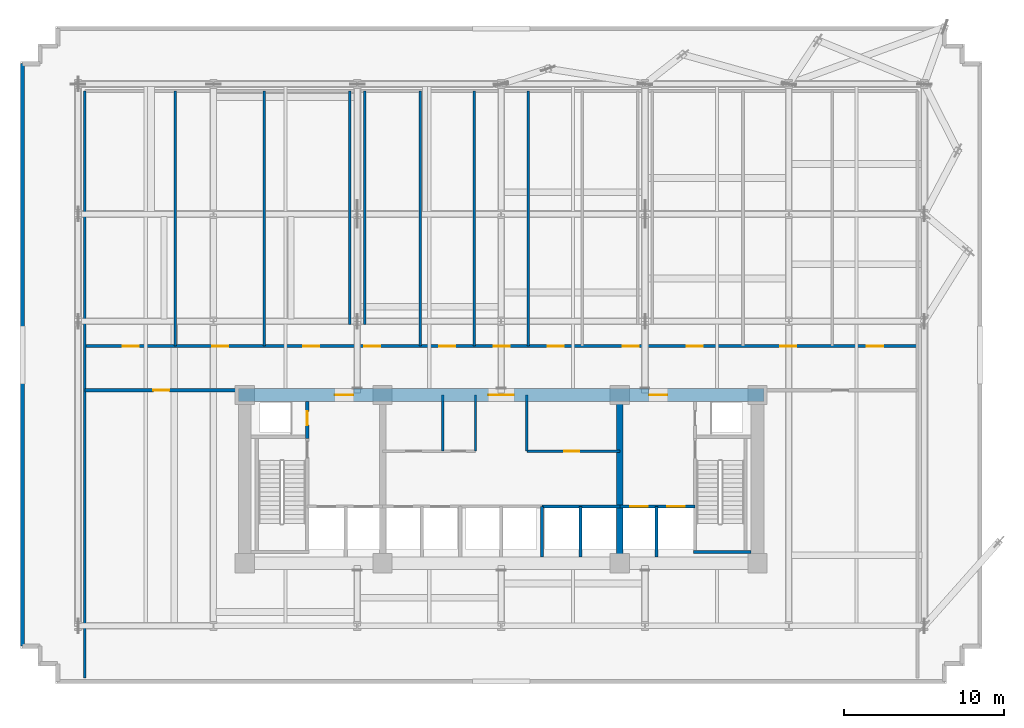
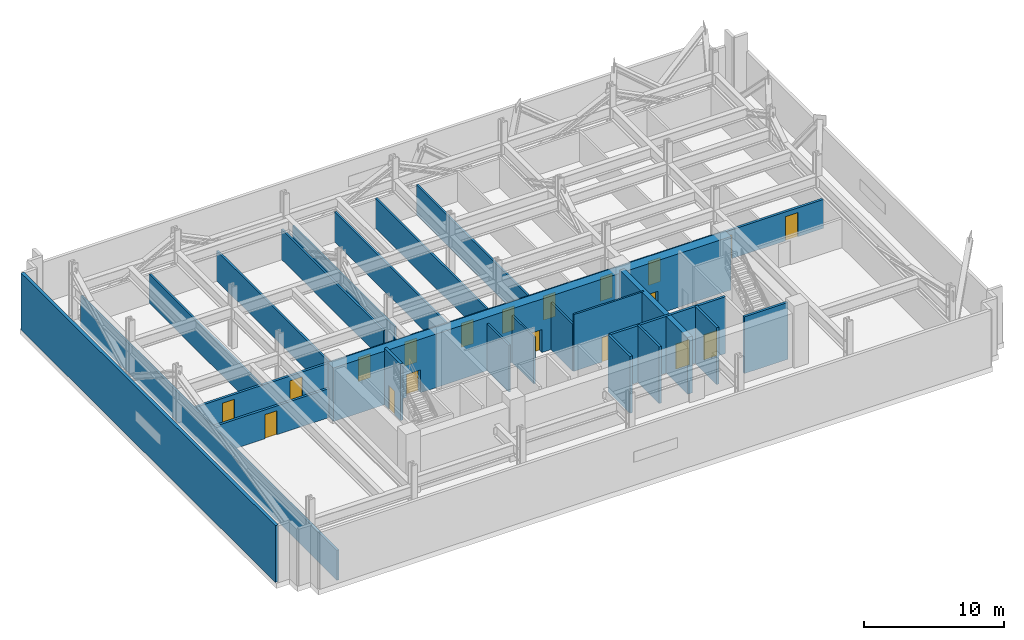
# One storey, part 6 of 9: 24 walls, 19 doors, 19 openings.
"""IFC4 building model written with IfcOpenShell, lengths in metres."""

from ifc_helpers import new_model, si_unit, direction, frame, frame_2d, origin, place, context, subcontext, project, spatial, rectangle, extrude, material, layer, layer_set, type_object, element, fill, save


model = new_model("IFC4")

# Units and contexts
model_context = context("Model", 3, precision=1e-05, world=origin(), true_north=direction((0.0, 1.0)))
body_context = subcontext(model_context, "Body", "Model", "MODEL_VIEW")
ifc_project = project(units=[si_unit("LENGTHUNIT", "METRE"), si_unit("AREAUNIT", "SQUARE_METRE"), si_unit("VOLUMEUNIT", "CUBIC_METRE"), si_unit("PLANEANGLEUNIT", "RADIAN"), si_unit("MASSUNIT", "GRAM", prefix="KILO")], contexts=[model_context])

# Site, building, storey
site_placement = place(None, origin())
site = spatial("IfcSite", under=ifc_project, at=site_placement, CompositionType="ELEMENT")
building_placement = place(site_placement, origin())
building = spatial("IfcBuilding", under=site, at=building_placement, Name="Solmavex Isthmus Hotel", CompositionType="ELEMENT")
storey_placement = place(building_placement, frame((0.0, 0.0, 74.699951171875)))
storey = spatial("IfcBuildingStorey", under=building, at=storey_placement, Name="L20", CompositionType="ELEMENT", Elevation=74.699951171875)

# Walls
ifc_material_1 = material(Name="Precast Concrete C40/50", Category="concrete")
ifc_layer_1 = layer(ifc_material_1, 0.260009765625)
ifc_layer_set_1 = layer_set([ifc_layer_1], Name="Precast Concrete C40/50")
wall_type_1 = type_object("IfcWallType", Name="EW-CRN-260", PredefinedType="STANDARD", material=ifc_layer_set_1)
wall_1_placement = place(storey_placement, frame((-29.8701171875, -18.169921875, 0.0), z_axis=(0.0, 0.0, 1.0), x_axis=(0.0, 1.0, 0.0)))
element("IfcWall", 1, at=wall_1_placement, inside=storey, type_object=wall_type_1, Name="Plant Acoustic Louvre Enclosure Wall L20-06", PredefinedType="STANDARD", context=body_context, shape_type="SweptSolid", body=[
    extrude(rectangle(XDim=36.33984375, YDim=0.260009765625, at=frame_2d((18.169921875, 0.0))), origin(), (0.0, 0.0, 1.0), 4.949951171875),
])
ifc_material_2 = material(Name="Gypsum plasterboard lining", Category="gypsum")
ifc_layer_2 = layer(ifc_material_2, 0.159912109375)
ifc_layer_set_2 = layer_set([ifc_layer_2], Name="Gypsum plasterboard lining")
wall_type_2 = type_object("IfcWallType", Name="IW-COMP-160", PredefinedType="PARTITIONING", material=ifc_layer_set_2)
for number, where, z_axis, x_axis, name in (
    (2, (-9.43603515625, 1.89990234375, 0.0), (0.0, 0.0, 1.0), (0.0, 1.0, 0.0), "Interior Partition Wall W-L20-OTWL"),
    (3, (-8.51611328125, 1.89990234375, 0.0), (0.0, 0.0, 1.0), (0.0, 1.0, 0.0), "Interior Partition Wall W-L20-OTWR"),
):
    element("IfcWall", number, at=place(storey_placement, frame(where, z_axis=z_axis, x_axis=x_axis)), inside=storey, type_object=wall_type_2, Name=name, PredefinedType="PARTITIONING", context=body_context, shape_type="SweptSolid", body=[
        extrude(rectangle(XDim=14.580078125, YDim=0.159912109375, at=frame_2d((7.2900390625, 0.0))), origin(), (0.0, 0.0, 1.0), 2.615966796875),
    ])
wall_2_placement = place(storey_placement, frame((-20.330078125, 0.550048828125, 0.0), z_axis=(0.0, 0.0, 1.0), x_axis=(0.0, 1.0, 0.0)))
element("IfcWall", 4, at=wall_2_placement, inside=storey, type_object=wall_type_2, Name="Interior Partition Wall W-L20-PX1", PredefinedType="PARTITIONING", context=body_context, shape_type="SweptSolid", body=[
    extrude(rectangle(XDim=15.909912109375, YDim=0.159912109375, at=frame_2d((7.955078125, 0.0))), origin(), (0.0, 0.0, 1.0), 2.518798828125),
])
for number, where, z_axis, x_axis, name in (
    (5, (-14.77001953125, 0.550048828125, 0.0), (0.0, 0.0, 1.0), (0.0, 1.0, 0.0), "Interior Partition Wall W-L20-PX2"),
    (6, (-5.06005859375, 0.550048828125, 0.0), (0.0, 0.0, 1.0), (0.0, 1.0, 0.0), "Interior Partition Wall W-L20-PX4"),
    (7, (-1.68994140625, 0.550048828125, 0.0), (0.0, 0.0, 1.0), (0.0, 1.0, 0.0), "Interior Partition Wall W-L20-PX5"),
    (8, (1.68994140625, 0.550048828125, 0.0), (0.0, 0.0, 1.0), (0.0, 1.0, 0.0), "Interior Partition Wall W-L20-PX6"),
):
    element("IfcWall", number, at=place(storey_placement, frame(where, z_axis=z_axis, x_axis=x_axis)), inside=storey, type_object=wall_type_2, Name=name, PredefinedType="PARTITIONING", context=body_context, shape_type="SweptSolid", body=[
        extrude(rectangle(XDim=15.909912109375, YDim=0.159912109375, at=frame_2d((7.955078125, 0.0))), origin(), (0.0, 0.0, 1.0), 2.615966796875),
    ])
ifc_layer_3 = layer(ifc_material_2, 0.14990234375)
ifc_layer_set_3 = layer_set([ifc_layer_3], Name="Gypsum plasterboard lining")
wall_type_3 = type_object("IfcWallType", Name="IW-CORR-150", PredefinedType="PARTITIONING", material=ifc_layer_set_3)
wall_3_placement = place(storey_placement, frame((-1.60009765625, -6.0, 0.0), z_axis=(0.0, 0.0, 1.0), x_axis=(0.0, 1.0, 0.0)))
element("IfcWall", 9, at=wall_3_placement, inside=storey, type_object=wall_type_3, Name="Interior Partition Wall W-L20-BOH-WE", PredefinedType="PARTITIONING", context=body_context, shape_type="SweptSolid", body=[
    extrude(rectangle(XDim=3.5, YDim=0.14990234375, at=frame_2d((1.75, 0.0))), origin(), (0.0, 0.0, 1.0), 4.094970703125),
])

# Wall, opening, door
wall_4_placement = place(storey_placement, frame((1.60009765625, -6.0, 0.0), z_axis=(0.0, 0.0, 1.0), x_axis=(1.0, 0.0, 0.0)))
wall_4 = element("IfcWall", 10, at=wall_4_placement, inside=storey, type_object=wall_type_3, Name="Interior Partition Wall W-L20-BOH-ES", PredefinedType="PARTITIONING", context=body_context, shape_type="SweptSolid", body=[
    extrude(rectangle(XDim=5.7998046875, YDim=0.14990234375, at=frame_2d((2.89990234375, 0.0))), origin(), (0.0, 0.0, 1.0), 4.949951171875),
])
opening_1_placement = place(wall_4_placement, frame((2.324951171875, 0.0, 0.0)))
opening_1 = element("IfcOpeningElement", 11, at=opening_1_placement, cuts=wall_4, Name="Opening ID-C095", PredefinedType="OPENING", context=body_context, shape_type="SweptSolid", body=[
    extrude(rectangle(XDim=0.949951171875, YDim=2.14990234375, at=frame_2d((0.47509765625, 1.074951171875))), frame((0.0, 0.0849609375, 0.0), z_axis=(0.0, -1.0, 0.0), x_axis=(1.0, 0.0, 0.0)), (0.0, 0.0, 1.0), 0.169921875),
])
ifc_material_3 = material(Name="Hardwood timber", Category="wood")
door_type_1 = type_object("IfcDoorType", Name="IDR-FD60-0950", OperationType="NOTDEFINED", PredefinedType="DOOR", material=ifc_material_3)
door_1_placement = place(opening_1_placement, frame((0.949951171875, 0.0, 0.0), z_axis=(0.0, 0.0, 1.0), x_axis=(-1.0, 0.0, 0.0)))
door_1 = element("IfcDoor", 12, at=door_1_placement, inside=storey, type_object=door_type_1, Name="Butler Pantry Door L20", OperationType="SINGLE_SWING_RIGHT", OverallHeight=2.14990234375, OverallWidth=0.949951171875, PredefinedType="DOOR", context=body_context, shape_type="SweptSolid", body=[
    extrude(rectangle(XDim=0.949951171875, YDim=2.14990234375, at=frame_2d((0.47509765625, 1.074951171875))), frame((0.0, 0.02490234375, 0.0), z_axis=(0.0, -1.0, 0.0), x_axis=(1.0, 0.0, 0.0)), (0.0, 0.0, 1.0), 0.050048828125),
])
fill(opening_1, door_1)

# Walls
wall_5_placement = place(storey_placement, frame((1.60009765625, -6.0, 0.0), z_axis=(0.0, 0.0, 1.0), x_axis=(0.0, 1.0, 0.0)))
element("IfcWall", 13, at=wall_5_placement, inside=storey, type_object=wall_type_3, Name="Interior Partition Wall W-L20-BOH-EW", PredefinedType="PARTITIONING", context=body_context, shape_type="SweptSolid", body=[
    extrude(rectangle(XDim=3.5, YDim=0.14990234375, at=frame_2d((1.75, 0.0))), origin(), (0.0, 0.0, 1.0), 4.094970703125),
])
ifc_layer_4 = layer(ifc_material_2, 0.1201171875)
ifc_layer_set_4 = layer_set([ifc_layer_4], Name="Gypsum plasterboard lining")
wall_type_4 = type_object("IfcWallType", Name="IW-PART-120", PredefinedType="PARTITIONING", material=ifc_layer_set_4)
wall_6_placement = place(storey_placement, frame((-3.64990234375, -6.0, 0.0), z_axis=(0.0, 0.0, 1.0), x_axis=(0.0, 1.0, 0.0)))
element("IfcWall", 14, at=wall_6_placement, inside=storey, type_object=wall_type_4, Name="Interior Partition Wall W-L20-BOH-WM1", PredefinedType="PARTITIONING", context=body_context, shape_type="SweptSolid", body=[
    extrude(rectangle(XDim=3.5, YDim=0.14990234375, at=frame_2d((1.75, 0.0))), origin(), (0.0, 0.0, 1.0), 4.094970703125),
])
ifc_material_4 = material(Name="Concrete C40/50", Category="concrete")
ifc_layer_5 = layer(ifc_material_4, 0.179931640625)
ifc_layer_set_5 = layer_set([ifc_layer_5], Name="Concrete C40/50")
wall_type_5 = type_object("IfcWallType", Name="IW-SHAFT-180", PredefinedType="PARTITIONING", material=ifc_layer_set_5)
wall_7_placement = place(storey_placement, frame((4.949951171875, -12.60009765625, 0.0), z_axis=(0.0, 0.0, 1.0), x_axis=(0.0, 1.0, 0.0)))
element("IfcWall", 15, at=wall_7_placement, inside=storey, type_object=wall_type_5, Name="Interior Partition Wall W-L20-SH-PLH-M", PredefinedType="PARTITIONING", context=body_context, shape_type="SweptSolid", body=[
    extrude(rectangle(XDim=3.150146484375, YDim=0.179931640625, at=frame_2d((1.5751953125, 0.0))), origin(), (0.0, 0.0, 1.0), 4.949951171875),
])
wall_8_placement = place(storey_placement, frame((-25.97998046875, -20.14990234375, 0.0), z_axis=(0.0, 0.0, 1.0), x_axis=(0.0, 1.0, 0.0)))
element("IfcWall", 16, at=wall_8_placement, inside=storey, type_object=wall_type_5, Name="Interior Partition Wall W-L20-BTW", PredefinedType="PARTITIONING", context=body_context, shape_type="SweptSolid", body=[
    extrude(rectangle(XDim=36.6298828125, YDim=0.179931640625, at=frame_2d((18.31494140625, 0.0))), origin(), (0.0, 0.0, 1.0), 2.615966796875),
])

# Wall, opening, door
ifc_layer_6 = layer(ifc_material_4, 0.199951171875)
ifc_layer_set_6 = layer_set([ifc_layer_6], Name="Concrete C40/50")
wall_type_6 = type_object("IfcWallType", Name="IW-SHAFT-200", PredefinedType="PARTITIONING", material=ifc_layer_set_6)
wall_9_placement = place(storey_placement, frame((-12.10009765625, -5.199951171875, 0.0), z_axis=(0.0, 0.0, 1.0), x_axis=(0.0, 1.0, 0.0)))
wall_9 = element("IfcWall", 17, at=wall_9_placement, inside=storey, type_object=wall_type_6, Name="Interior Partition Wall W-L20-RSW-E", PredefinedType="PARTITIONING", context=body_context, shape_type="SweptSolid", body=[
    extrude(rectangle(XDim=2.300048828125, YDim=0.199951171875, at=frame_2d((1.14990234375, 0.0))), origin(), (0.0, 0.0, 1.0), 4.949951171875),
])
opening_2_placement = place(wall_9_placement, frame((0.824951171875, 0.0, 0.0)))
opening_2 = element("IfcOpeningElement", 18, at=opening_2_placement, cuts=wall_9, Name="Opening ID-R085", PredefinedType="OPENING", context=body_context, shape_type="SweptSolid", body=[
    extrude(rectangle(XDim=0.85009765625, YDim=2.050048828125, at=frame_2d((0.425048828125, 1.02490234375))), frame((0.0, 0.10986328125, 0.0), z_axis=(0.0, -1.0, 0.0), x_axis=(1.0, 0.0, 0.0)), (0.0, 0.0, 1.0), 0.219970703125),
])
ifc_material_5 = material(Name="Steel ASTM A500 Grade C", Category="steel")
door_type_2 = type_object("IfcDoorType", Name="IDR-FD60-0850", OperationType="NOTDEFINED", PredefinedType="DOOR", material=ifc_material_5)
door_2_placement = place(opening_2_placement, origin())
door_2 = element("IfcDoor", 19, at=door_2_placement, inside=storey, type_object=door_type_2, Name="Electrical Riser Door L20", OperationType="SINGLE_SWING_RIGHT", OverallHeight=2.050048828125, OverallWidth=0.85009765625, PredefinedType="DOOR", context=body_context, shape_type="SweptSolid", body=[
    extrude(rectangle(XDim=0.85009765625, YDim=2.050048828125, at=frame_2d((0.425048828125, 1.02490234375))), frame((0.0, 0.02490234375, 0.0), z_axis=(0.0, -1.0, 0.0), x_axis=(1.0, 0.0, 0.0)), (0.0, 0.0, 1.0), 0.050048828125),
])
fill(opening_2, door_2)

# Wall, openings, doors
wall_10_placement = place(storey_placement, frame((7.39990234375, -9.449951171875, 0.0), z_axis=(0.0, 0.0, 1.0), x_axis=(1.0, 0.0, 0.0)))
wall_10 = element("IfcWall", 20, at=wall_10_placement, inside=storey, type_object=wall_type_6, Name="Interior Partition Wall W-L20-FFLE-S", PredefinedType="PARTITIONING", context=body_context, shape_type="SweptSolid", body=[
    extrude(rectangle(XDim=4.7001953125, YDim=0.199951171875, at=frame_2d((2.35009765625, 0.0))), origin(), (0.0, 0.0, 1.0), 4.949951171875),
])
opening_3_placement = place(wall_10_placement, frame((2.949951171875, 0.0, 0.0)))
opening_3 = element("IfcOpeningElement", 21, at=opening_3_placement, cuts=wall_10, Name="Opening LD-FF", PredefinedType="OPENING", context=body_context, shape_type="SweptSolid", body=[
    extrude(rectangle(XDim=1.10009765625, YDim=2.199951171875, at=frame_2d((0.550048828125, 1.10009765625))), frame((0.0, 0.10986328125, 0.0), z_axis=(0.0, -1.0, 0.0), x_axis=(1.0, 0.0, 0.0)), (0.0, 0.0, 1.0), 0.219970703125),
])
opening_4_placement = place(wall_10_placement, frame((0.64990234375, 0.0, 0.0)))
opening_4 = element("IfcOpeningElement", 22, at=opening_4_placement, cuts=wall_10, Name="Opening LD-SV", PredefinedType="OPENING", context=body_context, shape_type="SweptSolid", body=[
    extrude(rectangle(XDim=1.10009765625, YDim=2.199951171875, at=frame_2d((0.550048828125, 1.10009765625))), frame((0.0, 0.10986328125, 0.0), z_axis=(0.0, -1.0, 0.0), x_axis=(1.0, 0.0, 0.0)), (0.0, 0.0, 1.0), 0.219970703125),
])
ifc_material_6 = material(Name="Stainless steel 316", Category="steel")
door_type_3 = type_object("IfcDoorType", Name="LDR-FF-1100", OperationType="NOTDEFINED", PredefinedType="DOOR", material=ifc_material_6)
door_3_placement = place(opening_3_placement, origin())
door_3 = element("IfcDoor", 23, at=door_3_placement, inside=storey, type_object=door_type_3, Name="Lift Landing Door FFL-2 L20", OperationType="SLIDING_TO_LEFT", OverallHeight=2.199951171875, OverallWidth=1.10009765625, PredefinedType="DOOR", context=body_context, shape_type="SweptSolid", body=[
    extrude(rectangle(XDim=1.10009765625, YDim=2.199951171875, at=frame_2d((0.550048828125, 1.10009765625))), frame((0.0, 0.02490234375, 0.0), z_axis=(0.0, -1.0, 0.0), x_axis=(1.0, 0.0, 0.0)), (0.0, 0.0, 1.0), 0.050048828125),
])
fill(opening_3, door_3)
door_type_4 = type_object("IfcDoorType", Name="LDR-SV-1100", OperationType="NOTDEFINED", PredefinedType="DOOR", material=ifc_material_6)
door_4_placement = place(opening_4_placement, origin())
door_4 = element("IfcDoor", 24, at=door_4_placement, inside=storey, type_object=door_type_4, Name="Lift Landing Door SVL-2 L20", OperationType="SLIDING_TO_RIGHT", OverallHeight=2.199951171875, OverallWidth=1.10009765625, PredefinedType="DOOR", context=body_context, shape_type="SweptSolid", body=[
    extrude(rectangle(XDim=1.10009765625, YDim=2.199951171875, at=frame_2d((0.550048828125, 1.10009765625))), frame((0.0, 0.02490234375, 0.0), z_axis=(0.0, -1.0, 0.0), x_axis=(1.0, 0.0, 0.0)), (0.0, 0.0, 1.0), 0.050048828125),
])
fill(opening_4, door_4)

# Walls
for number, where, z_axis, x_axis, name in (
    (25, (9.699951171875, -12.60009765625, 0.0), (0.0, 0.0, 1.0), (0.0, 1.0, 0.0), "Interior Partition Wall W-L20-FFLE-M"),
    (26, (2.550048828125, -12.60009765625, 0.0), (0.0, 0.0, 1.0), (0.0, 1.0, 0.0), "Interior Partition Wall W-L20-SH-PLM-E"),
):
    element("IfcWall", number, at=place(storey_placement, frame(where, z_axis=z_axis, x_axis=x_axis)), inside=storey, type_object=wall_type_6, Name=name, PredefinedType="PARTITIONING", context=body_context, shape_type="SweptSolid", body=[
        extrude(rectangle(XDim=3.150146484375, YDim=0.199951171875, at=frame_2d((1.5751953125, 0.0))), origin(), (0.0, 0.0, 1.0), 4.949951171875),
    ])
wall_11_placement = place(storey_placement, frame((2.550048828125, -9.449951171875, 0.0), z_axis=(0.0, 0.0, 1.0), x_axis=(1.0, 0.0, 0.0)))
element("IfcWall", 27, at=wall_11_placement, inside=storey, type_object=wall_type_6, Name="Interior Partition Wall W-L20-SH-PLH", PredefinedType="PARTITIONING", context=body_context, shape_type="SweptSolid", body=[
    extrude(rectangle(XDim=4.849853515625, YDim=0.199951171875, at=frame_2d((2.4248046875, 0.0))), origin(), (0.0, 0.0, 1.0), 4.949951171875),
])

# Wall, openings, doors
wall_12_placement = place(storey_placement, frame((-25.9599609375, 0.550048828125, 0.0), z_axis=(0.0, 0.0, 1.0), x_axis=(1.0, 0.0, 0.0)))
wall_12 = element("IfcWall", 28, at=wall_12_placement, inside=storey, type_object=wall_type_6, Name="Interior Partition Wall W-L20-PN", PredefinedType="PARTITIONING", context=body_context, shape_type="SweptSolid", body=[
    extrude(rectangle(XDim=51.919921875, YDim=0.199951171875, at=frame_2d((25.9599609375, 0.0))), origin(), (0.0, 0.0, 1.0), 2.518798828125),
])
opening_5_placement = place(wall_12_placement, frame((2.344970703125, 0.0, 0.0)))
opening_5 = element("IfcOpeningElement", 29, at=opening_5_placement, cuts=wall_12, Name="Opening ID-F100", PredefinedType="OPENING", context=body_context, shape_type="SweptSolid", body=[
    extrude(rectangle(XDim=1.0, YDim=2.10009765625, at=frame_2d((0.5, 1.050048828125))), frame((0.0, 0.10986328125, 0.0), z_axis=(0.0, -1.0, 0.0), x_axis=(1.0, 0.0, 0.0)), (0.0, 0.0, 1.0), 0.219970703125),
])
opening_6_placement = place(wall_12_placement, frame((7.93505859375, 0.0, 0.0)))
opening_6 = element("IfcOpeningElement", 30, at=opening_6_placement, cuts=wall_12, Name="Opening ID-F100", PredefinedType="OPENING", context=body_context, shape_type="SweptSolid", body=[
    extrude(rectangle(XDim=1.0, YDim=2.10009765625, at=frame_2d((0.5, 1.050048828125))), frame((0.0, 0.10986328125, 0.0), z_axis=(0.0, -1.0, 0.0), x_axis=(1.0, 0.0, 0.0)), (0.0, 0.0, 1.0), 0.219970703125),
])
opening_7_placement = place(wall_12_placement, frame((13.60498046875, 0.0, 0.0)))
opening_7 = element("IfcOpeningElement", 31, at=opening_7_placement, cuts=wall_12, Name="Opening ID-F100", PredefinedType="OPENING", context=body_context, shape_type="SweptSolid", body=[
    extrude(rectangle(XDim=1.0, YDim=2.10009765625, at=frame_2d((0.5, 1.050048828125))), frame((0.0, 0.10986328125, 0.0), z_axis=(0.0, -1.0, 0.0), x_axis=(1.0, 0.0, 0.0)), (0.0, 0.0, 1.0), 0.219970703125),
])
opening_8_placement = place(wall_12_placement, frame((17.4150390625, 0.0, 0.0)))
opening_8 = element("IfcOpeningElement", 32, at=opening_8_placement, cuts=wall_12, Name="Opening ID-F100", PredefinedType="OPENING", context=body_context, shape_type="SweptSolid", body=[
    extrude(rectangle(XDim=1.0, YDim=2.10009765625, at=frame_2d((0.5, 1.050048828125))), frame((0.0, 0.10986328125, 0.0), z_axis=(0.0, -1.0, 0.0), x_axis=(1.0, 0.0, 0.0)), (0.0, 0.0, 1.0), 0.219970703125),
])
opening_9_placement = place(wall_12_placement, frame((22.10498046875, 0.0, 0.0)))
opening_9 = element("IfcOpeningElement", 33, at=opening_9_placement, cuts=wall_12, Name="Opening ID-F100", PredefinedType="OPENING", context=body_context, shape_type="SweptSolid", body=[
    extrude(rectangle(XDim=1.0, YDim=2.10009765625, at=frame_2d((0.5, 1.050048828125))), frame((0.0, 0.10986328125, 0.0), z_axis=(0.0, -1.0, 0.0), x_axis=(1.0, 0.0, 0.0)), (0.0, 0.0, 1.0), 0.219970703125),
])
opening_10_placement = place(wall_12_placement, frame((25.485107421875, 0.0, 0.0)))
opening_10 = element("IfcOpeningElement", 34, at=opening_10_placement, cuts=wall_12, Name="Opening ID-F100", PredefinedType="OPENING", context=body_context, shape_type="SweptSolid", body=[
    extrude(rectangle(XDim=1.0, YDim=2.10009765625, at=frame_2d((0.5, 1.050048828125))), frame((0.0, 0.10986328125, 0.0), z_axis=(0.0, -1.0, 0.0), x_axis=(1.0, 0.0, 0.0)), (0.0, 0.0, 1.0), 0.219970703125),
])
opening_11_placement = place(wall_12_placement, frame((28.864990234375, 0.0, 0.0)))
opening_11 = element("IfcOpeningElement", 35, at=opening_11_placement, cuts=wall_12, Name="Opening ID-F100", PredefinedType="OPENING", context=body_context, shape_type="SweptSolid", body=[
    extrude(rectangle(XDim=1.0, YDim=2.10009765625, at=frame_2d((0.5, 1.050048828125))), frame((0.0, 0.10986328125, 0.0), z_axis=(0.0, -1.0, 0.0), x_axis=(1.0, 0.0, 0.0)), (0.0, 0.0, 1.0), 0.219970703125),
])
opening_12_placement = place(wall_12_placement, frame((33.554931640625, 0.0, 0.0)))
opening_12 = element("IfcOpeningElement", 36, at=opening_12_placement, cuts=wall_12, Name="Opening ID-F100", PredefinedType="OPENING", context=body_context, shape_type="SweptSolid", body=[
    extrude(rectangle(XDim=1.0, YDim=2.10009765625, at=frame_2d((0.5, 1.050048828125))), frame((0.0, 0.10986328125, 0.0), z_axis=(0.0, -1.0, 0.0), x_axis=(1.0, 0.0, 0.0)), (0.0, 0.0, 1.0), 0.219970703125),
])
opening_13_placement = place(wall_12_placement, frame((37.52490234375, 0.0, 0.0)))
opening_13 = element("IfcOpeningElement", 37, at=opening_13_placement, cuts=wall_12, Name="Opening ID-F100", PredefinedType="OPENING", context=body_context, shape_type="SweptSolid", body=[
    extrude(rectangle(XDim=1.0, YDim=2.10009765625, at=frame_2d((0.5, 1.050048828125))), frame((0.0, 0.10986328125, 0.0), z_axis=(0.0, -1.0, 0.0), x_axis=(1.0, 0.0, 0.0)), (0.0, 0.0, 1.0), 0.219970703125),
])
opening_14_placement = place(wall_12_placement, frame((43.364990234375, 0.0, 0.0)))
opening_14 = element("IfcOpeningElement", 38, at=opening_14_placement, cuts=wall_12, Name="Opening ID-F100", PredefinedType="OPENING", context=body_context, shape_type="SweptSolid", body=[
    extrude(rectangle(XDim=1.0, YDim=2.10009765625, at=frame_2d((0.5, 1.050048828125))), frame((0.0, 0.10986328125, 0.0), z_axis=(0.0, -1.0, 0.0), x_axis=(1.0, 0.0, 0.0)), (0.0, 0.0, 1.0), 0.219970703125),
])
opening_15_placement = place(wall_12_placement, frame((48.784912109375, 0.0, 0.0)))
opening_15 = element("IfcOpeningElement", 39, at=opening_15_placement, cuts=wall_12, Name="Opening ID-F100", PredefinedType="OPENING", context=body_context, shape_type="SweptSolid", body=[
    extrude(rectangle(XDim=1.0, YDim=2.10009765625, at=frame_2d((0.5, 1.050048828125))), frame((0.0, 0.10986328125, 0.0), z_axis=(0.0, -1.0, 0.0), x_axis=(1.0, 0.0, 0.0)), (0.0, 0.0, 1.0), 0.219970703125),
])
door_type_5 = type_object("IfcDoorType", Name="IDR-FD90-1000", OperationType="NOTDEFINED", PredefinedType="DOOR", material=ifc_material_5)
door_5_placement = place(opening_5_placement, origin())
door_5 = element("IfcDoor", 40, at=door_5_placement, inside=storey, type_object=door_type_5, Name="Pressurised Area of Refuge West Door L20-1", OperationType="SINGLE_SWING_LEFT", OverallHeight=2.10009765625, OverallWidth=1.0, PredefinedType="DOOR", context=body_context, shape_type="SweptSolid", body=[
    extrude(rectangle(XDim=1.0, YDim=2.10009765625, at=frame_2d((0.5, 1.050048828125))), frame((0.0, 0.02490234375, 0.0), z_axis=(0.0, -1.0, 0.0), x_axis=(1.0, 0.0, 0.0)), (0.0, 0.0, 1.0), 0.050048828125),
])
fill(opening_5, door_5)
door_6_placement = place(opening_6_placement, origin())
door_6 = element("IfcDoor", 41, at=door_6_placement, inside=storey, type_object=door_type_5, Name="Accessible Refuge Area North-West Door L20-2", OperationType="SINGLE_SWING_RIGHT", OverallHeight=2.10009765625, OverallWidth=1.0, PredefinedType="DOOR", context=body_context, shape_type="SweptSolid", body=[
    extrude(rectangle(XDim=1.0, YDim=2.10009765625, at=frame_2d((0.5, 1.050048828125))), frame((0.0, 0.02490234375, 0.0), z_axis=(0.0, -1.0, 0.0), x_axis=(1.0, 0.0, 0.0)), (0.0, 0.0, 1.0), 0.050048828125),
])
fill(opening_6, door_6)
door_7_placement = place(opening_7_placement, origin())
door_7 = element("IfcDoor", 42, at=door_7_placement, inside=storey, type_object=door_type_5, Name="Hydronic Heat Exchanger Plant Room Door L20-3", OperationType="SINGLE_SWING_LEFT", OverallHeight=2.10009765625, OverallWidth=1.0, PredefinedType="DOOR", context=body_context, shape_type="SweptSolid", body=[
    extrude(rectangle(XDim=1.0, YDim=2.10009765625, at=frame_2d((0.5, 1.050048828125))), frame((0.0, 0.02490234375, 0.0), z_axis=(0.0, -1.0, 0.0), x_axis=(1.0, 0.0, 0.0)), (0.0, 0.0, 1.0), 0.050048828125),
])
fill(opening_7, door_7)
door_8_placement = place(opening_8_placement, origin())
door_8 = element("IfcDoor", 43, at=door_8_placement, inside=storey, type_object=door_type_5, Name="Primary Centrifugal Chiller Plant Room Door L20-4", OperationType="SINGLE_SWING_RIGHT", OverallHeight=2.10009765625, OverallWidth=1.0, PredefinedType="DOOR", context=body_context, shape_type="SweptSolid", body=[
    extrude(rectangle(XDim=1.0, YDim=2.10009765625, at=frame_2d((0.5, 1.050048828125))), frame((0.0, 0.02490234375, 0.0), z_axis=(0.0, -1.0, 0.0), x_axis=(1.0, 0.0, 0.0)), (0.0, 0.0, 1.0), 0.050048828125),
])
fill(opening_8, door_8)
door_9_placement = place(opening_9_placement, origin())
door_9 = element("IfcDoor", 44, at=door_9_placement, inside=storey, type_object=door_type_5, Name="Secondary Chilled Water Pump Plant Room Door L20-5", OperationType="SINGLE_SWING_LEFT", OverallHeight=2.10009765625, OverallWidth=1.0, PredefinedType="DOOR", context=body_context, shape_type="SweptSolid", body=[
    extrude(rectangle(XDim=1.0, YDim=2.10009765625, at=frame_2d((0.5, 1.050048828125))), frame((0.0, 0.02490234375, 0.0), z_axis=(0.0, -1.0, 0.0), x_axis=(1.0, 0.0, 0.0)), (0.0, 0.0, 1.0), 0.050048828125),
])
fill(opening_9, door_9)
door_10_placement = place(opening_10_placement, origin())
door_10 = element("IfcDoor", 45, at=door_10_placement, inside=storey, type_object=door_type_5, Name="Dedicated Outdoor Air Handling Plant Room Door L20-6", OperationType="SINGLE_SWING_RIGHT", OverallHeight=2.10009765625, OverallWidth=1.0, PredefinedType="DOOR", context=body_context, shape_type="SweptSolid", body=[
    extrude(rectangle(XDim=1.0, YDim=2.10009765625, at=frame_2d((0.5, 1.050048828125))), frame((0.0, 0.02490234375, 0.0), z_axis=(0.0, -1.0, 0.0), x_axis=(1.0, 0.0, 0.0)), (0.0, 0.0, 1.0), 0.050048828125),
])
fill(opening_10, door_10)
door_11_placement = place(opening_11_placement, origin())
door_11 = element("IfcDoor", 46, at=door_11_placement, inside=storey, type_object=door_type_5, Name="High-Voltage Transformer Plant Room Door L20-7", OperationType="SINGLE_SWING_LEFT", OverallHeight=2.10009765625, OverallWidth=1.0, PredefinedType="DOOR", context=body_context, shape_type="SweptSolid", body=[
    extrude(rectangle(XDim=1.0, YDim=2.10009765625, at=frame_2d((0.5, 1.050048828125))), frame((0.0, 0.02490234375, 0.0), z_axis=(0.0, -1.0, 0.0), x_axis=(1.0, 0.0, 0.0)), (0.0, 0.0, 1.0), 0.050048828125),
])
fill(opening_11, door_11)
door_12_placement = place(opening_12_placement, origin())
door_12 = element("IfcDoor", 47, at=door_12_placement, inside=storey, type_object=door_type_5, Name="Emergency Switchgear and UPS Plant Room Door L20-8", OperationType="SINGLE_SWING_RIGHT", OverallHeight=2.10009765625, OverallWidth=1.0, PredefinedType="DOOR", context=body_context, shape_type="SweptSolid", body=[
    extrude(rectangle(XDim=1.0, YDim=2.10009765625, at=frame_2d((0.5, 1.050048828125))), frame((0.0, 0.02490234375, 0.0), z_axis=(0.0, -1.0, 0.0), x_axis=(1.0, 0.0, 0.0)), (0.0, 0.0, 1.0), 0.050048828125),
])
fill(opening_12, door_12)
door_13_placement = place(opening_13_placement, origin())
door_13 = element("IfcDoor", 48, at=door_13_placement, inside=storey, type_object=door_type_5, Name="Smoke Exhaust and Pressurisation Plant Room Door L20-9", OperationType="SINGLE_SWING_LEFT", OverallHeight=2.10009765625, OverallWidth=1.0, PredefinedType="DOOR", context=body_context, shape_type="SweptSolid", body=[
    extrude(rectangle(XDim=1.0, YDim=2.10009765625, at=frame_2d((0.5, 1.050048828125))), frame((0.0, 0.02490234375, 0.0), z_axis=(0.0, -1.0, 0.0), x_axis=(1.0, 0.0, 0.0)), (0.0, 0.0, 1.0), 0.050048828125),
])
fill(opening_13, door_13)
door_14_placement = place(opening_14_placement, origin())
door_14 = element("IfcDoor", 49, at=door_14_placement, inside=storey, type_object=door_type_5, Name="Accessible Refuge Area North-East Door L20-10", OperationType="SINGLE_SWING_RIGHT", OverallHeight=2.10009765625, OverallWidth=1.0, PredefinedType="DOOR", context=body_context, shape_type="SweptSolid", body=[
    extrude(rectangle(XDim=1.0, YDim=2.10009765625, at=frame_2d((0.5, 1.050048828125))), frame((0.0, 0.02490234375, 0.0), z_axis=(0.0, -1.0, 0.0), x_axis=(1.0, 0.0, 0.0)), (0.0, 0.0, 1.0), 0.050048828125),
])
fill(opening_14, door_14)
door_15_placement = place(opening_15_placement, origin())
door_15 = element("IfcDoor", 50, at=door_15_placement, inside=storey, type_object=door_type_5, Name="Pressurised Area of Refuge East Door L20-11", OperationType="SINGLE_SWING_LEFT", OverallHeight=2.10009765625, OverallWidth=1.0, PredefinedType="DOOR", context=body_context, shape_type="SweptSolid", body=[
    extrude(rectangle(XDim=1.0, YDim=2.10009765625, at=frame_2d((0.5, 1.050048828125))), frame((0.0, 0.02490234375, 0.0), z_axis=(0.0, -1.0, 0.0), x_axis=(1.0, 0.0, 0.0)), (0.0, 0.0, 1.0), 0.050048828125),
])
fill(opening_15, door_15)

# Wall, opening, door
wall_13_placement = place(storey_placement, frame((-25.9599609375, -2.199951171875, 0.0), z_axis=(0.0, 0.0, 1.0), x_axis=(1.0, 0.0, 0.0)))
wall_13 = element("IfcWall", 51, at=wall_13_placement, inside=storey, type_object=wall_type_6, Name="Interior Partition Wall W-L20-PSW", PredefinedType="PARTITIONING", context=body_context, shape_type="SweptSolid", body=[
    extrude(rectangle(XDim=9.56005859375, YDim=0.199951171875, at=frame_2d((4.780029296875, 0.0))), origin(), (0.0, 0.0, 1.0), 2.518798828125),
])
opening_16_placement = place(wall_13_placement, frame((4.264892578125, 0.0, 0.0)))
opening_16 = element("IfcOpeningElement", 52, at=opening_16_placement, cuts=wall_13, Name="Opening ID-F100", PredefinedType="OPENING", context=body_context, shape_type="SweptSolid", body=[
    extrude(rectangle(XDim=1.0, YDim=2.10009765625, at=frame_2d((0.5, 1.050048828125))), frame((0.0, 0.10986328125, 0.0), z_axis=(0.0, -1.0, 0.0), x_axis=(1.0, 0.0, 0.0)), (0.0, 0.0, 1.0), 0.219970703125),
])
door_16_placement = place(opening_16_placement, frame((1.0, 0.0, 0.0), z_axis=(0.0, 0.0, 1.0), x_axis=(-1.0, 0.0, 0.0)))
door_16 = element("IfcDoor", 53, at=door_16_placement, inside=storey, type_object=door_type_5, Name="Domestic Water Booster Plant Room Door L20", OperationType="SINGLE_SWING_LEFT", OverallHeight=2.10009765625, OverallWidth=1.0, PredefinedType="DOOR", context=body_context, shape_type="SweptSolid", body=[
    extrude(rectangle(XDim=1.0, YDim=2.10009765625, at=frame_2d((0.5, 1.050048828125))), frame((0.0, 0.02490234375, 0.0), z_axis=(0.0, -1.0, 0.0), x_axis=(1.0, 0.0, 0.0)), (0.0, 0.0, 1.0), 0.050048828125),
])
fill(opening_16, door_16)

# Wall
ifc_material_7 = material(Name="Concrete C70/85", Category="concrete")
ifc_layer_7 = layer(ifc_material_7, 0.39990234375)
ifc_layer_set_7 = layer_set([ifc_layer_7], Name="Concrete C70/85")
wall_type_7 = type_object("IfcWallType", Name="WALL-CW-400L", PredefinedType="SHEAR", material=ifc_layer_set_7)
wall_14_placement = place(storey_placement, frame((7.39990234375, -12.60009765625, 0.0), z_axis=(0.0, 0.0, 1.0), x_axis=(0.0, 1.0, 0.0)))
element("IfcWall", 54, at=wall_14_placement, inside=storey, type_object=wall_type_7, Name="Core Cross Shear Wall C2 L20", PredefinedType="SHEAR", context=body_context, shape_type="SweptSolid", body=[
    extrude(rectangle(XDim=9.7001953125, YDim=0.39990234375, at=frame_2d((4.85009765625, 0.0))), origin(), (0.0, 0.0, 1.0), 4.949951171875),
])

# Wall, openings, doors
ifc_layer_8 = layer(ifc_material_7, 0.800048828125)
ifc_layer_set_8 = layer_set([ifc_layer_8], Name="Concrete C70/85")
wall_type_8 = type_object("IfcWallType", Name="WALL-CW-800", PredefinedType="SHEAR", material=ifc_layer_set_8)
wall_15_placement = place(storey_placement, frame((-16.39990234375, -2.5, 0.0), z_axis=(0.0, 0.0, 1.0), x_axis=(1.0, 0.0, 0.0)))
wall_15 = element("IfcWall", 55, at=wall_15_placement, inside=storey, type_object=wall_type_8, Name="Core Shear Wall North L20", PredefinedType="SHEAR", context=body_context, shape_type="SweptSolid", body=[
    extrude(rectangle(XDim=32.7998046875, YDim=0.800048828125, at=frame_2d((16.39990234375, 0.0))), origin(), (0.0, 0.0, 1.0), 4.670166015625),
])
opening_17_placement = place(wall_15_placement, frame((6.02490234375, 0.0, 0.0)))
opening_17 = element("IfcOpeningElement", 56, at=opening_17_placement, cuts=wall_15, Name="Opening ID-F915", PredefinedType="OPENING", context=body_context, shape_type="SweptSolid", body=[
    extrude(rectangle(XDim=1.14990234375, YDim=2.0, at=frame_2d((0.574951171875, 1.0))), frame((0.0, 0.409912109375, 0.0), z_axis=(0.0, -1.0, 0.0), x_axis=(1.0, 0.0, 0.0)), (0.0, 0.0, 1.0), 0.820068359375),
])
opening_18_placement = place(wall_15_placement, frame((15.60009765625, 0.0, 0.0)))
opening_18 = element("IfcOpeningElement", 57, at=opening_18_placement, cuts=wall_15, Name="Opening ID-F960", PredefinedType="OPENING", context=body_context, shape_type="SweptSolid", body=[
    extrude(rectangle(XDim=1.60009765625, YDim=2.0, at=frame_2d((0.800048828125, 1.0))), frame((0.0, 0.409912109375, 0.0), z_axis=(0.0, -1.0, 0.0), x_axis=(1.0, 0.0, 0.0)), (0.0, 0.0, 1.0), 0.820068359375),
])
opening_19_placement = place(wall_15_placement, frame((25.625, 0.0, 0.0)))
opening_19 = element("IfcOpeningElement", 58, at=opening_19_placement, cuts=wall_15, Name="Opening ID-F915", PredefinedType="OPENING", context=body_context, shape_type="SweptSolid", body=[
    extrude(rectangle(XDim=1.14990234375, YDim=2.0, at=frame_2d((0.574951171875, 1.0))), frame((0.0, 0.409912109375, 0.0), z_axis=(0.0, -1.0, 0.0), x_axis=(1.0, 0.0, 0.0)), (0.0, 0.0, 1.0), 0.820068359375),
])
door_type_6 = type_object("IfcDoorType", Name="IDR-FD90-1150C", OperationType="NOTDEFINED", PredefinedType="DOOR", material=ifc_material_5)
door_17_placement = place(opening_17_placement, origin())
door_17 = element("IfcDoor", 59, at=door_17_placement, inside=storey, type_object=door_type_6, Name="Firefighting Lobby West Exit Door L20", OperationType="SINGLE_SWING_LEFT", OverallHeight=2.0, OverallWidth=1.14990234375, PredefinedType="DOOR", context=body_context, shape_type="SweptSolid", body=[
    extrude(rectangle(XDim=1.14990234375, YDim=2.0, at=frame_2d((0.574951171875, 1.0))), frame((0.0, 0.02490234375, 0.0), z_axis=(0.0, -1.0, 0.0), x_axis=(1.0, 0.0, 0.0)), (0.0, 0.0, 1.0), 0.050048828125),
])
fill(opening_17, door_17)
door_18_placement = place(opening_19_placement, origin())
door_18 = element("IfcDoor", 60, at=door_18_placement, inside=storey, type_object=door_type_6, Name="Firefighting Lobby East Exit Door L20", OperationType="SINGLE_SWING_RIGHT", OverallHeight=2.0, OverallWidth=1.14990234375, PredefinedType="DOOR", context=body_context, shape_type="SweptSolid", body=[
    extrude(rectangle(XDim=1.14990234375, YDim=2.0, at=frame_2d((0.574951171875, 1.0))), frame((0.0, 0.02490234375, 0.0), z_axis=(0.0, -1.0, 0.0), x_axis=(1.0, 0.0, 0.0)), (0.0, 0.0, 1.0), 0.050048828125),
])
fill(opening_19, door_18)
door_type_7 = type_object("IfcDoorType", Name="IDR-FD90-1600C", OperationType="NOTDEFINED", PredefinedType="DOOR", material=ifc_material_5)
door_19_placement = place(opening_18_placement, origin())
door_19 = element("IfcDoor", 61, at=door_19_placement, inside=storey, type_object=door_type_7, Name="Central Lift Lobby Door L20", OperationType="DOUBLE_DOOR_SINGLE_SWING", OverallHeight=2.0, OverallWidth=1.60009765625, PredefinedType="DOOR", context=body_context, shape_type="SweptSolid", body=[
    extrude(rectangle(XDim=1.60009765625, YDim=2.0, at=frame_2d((0.800048828125, 1.0))), frame((0.0, 0.02490234375, 0.0), z_axis=(0.0, -1.0, 0.0), x_axis=(1.0, 0.0, 0.0)), (0.0, 0.0, 1.0), 0.050048828125),
])
fill(opening_18, door_19)

# Wall
ifc_layer_9 = layer(ifc_material_4, 0.199951171875)
ifc_layer_set_9 = layer_set([ifc_layer_9], Name="Concrete C40/50")
wall_type_9 = type_object("IfcWallType", Name="WALL-SW-200", PredefinedType="SOLIDWALL", material=ifc_layer_set_9)
wall_16_placement = place(storey_placement, frame((12.0, -12.300048828125, 0.0), z_axis=(0.0, 0.0, 1.0), x_axis=(1.0, 0.0, 0.0)))
element("IfcWall", 62, at=wall_16_placement, inside=storey, type_object=wall_type_9, Name="Stairwell Structural Wall SW-L20-ST2-S", PredefinedType="SOLIDWALL", context=body_context, shape_type="SweptSolid", body=[
    extrude(rectangle(XDim=3.60009765625, YDim=0.199951171875, at=frame_2d((1.800048828125, 0.0))), origin(), (0.0, 0.0, 1.0), 4.949951171875),
])

save(model, "model.ifc")
